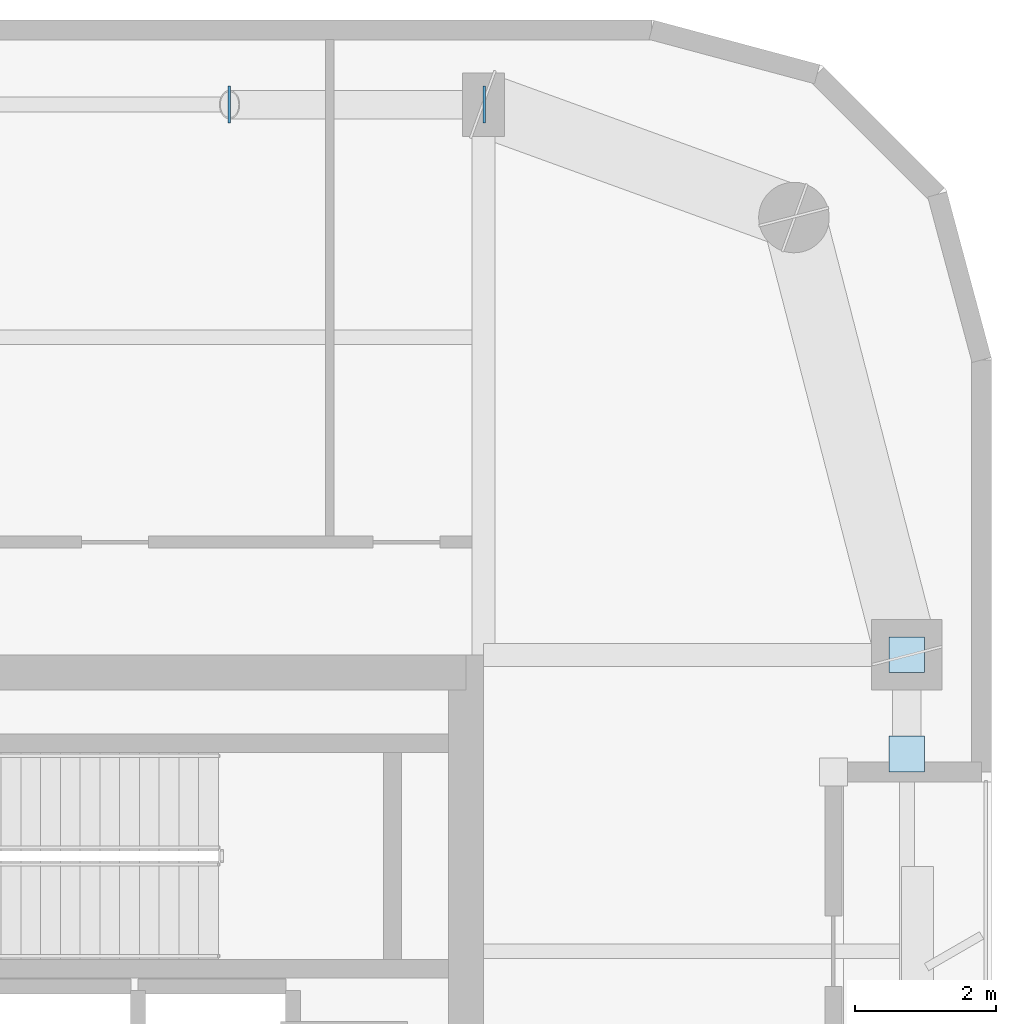
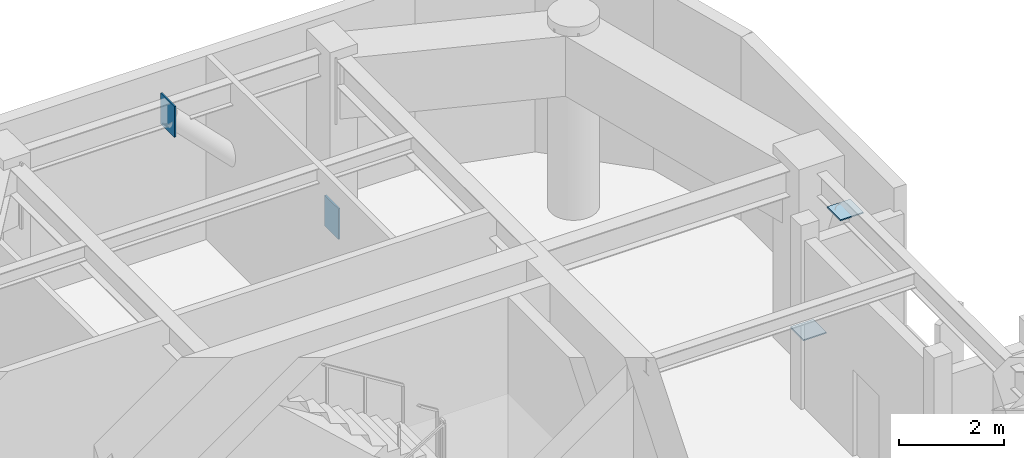
# One storey, part 8 of 14: 4 plates.
"""IFC4 building model written with IfcOpenShell, lengths in metres."""

from ifc_helpers import new_model, si_unit, direction, frame, origin, origin_2d, place, context, subcontext, project, spatial, rectangle, extrude, material, layer, layer_set, type_object, element, save


model = new_model("IFC4")

# Units and contexts
model_context = context("Model", 3, precision=1e-05, world=origin(), true_north=direction((0.0, 1.0)))
body_context = subcontext(model_context, "Body", "Model", "MODEL_VIEW")
ifc_project = project(units=[si_unit("LENGTHUNIT", "METRE"), si_unit("AREAUNIT", "SQUARE_METRE"), si_unit("VOLUMEUNIT", "CUBIC_METRE"), si_unit("PLANEANGLEUNIT", "RADIAN"), si_unit("MASSUNIT", "GRAM", prefix="KILO")], contexts=[model_context])

# Site, building, storey
site_placement = place(None, origin())
site = spatial("IfcSite", under=ifc_project, at=site_placement, CompositionType="ELEMENT")
building_placement = place(site_placement, origin())
building = spatial("IfcBuilding", under=site, at=building_placement, Name="Kiyonajd Concourse Tower", CompositionType="ELEMENT")
storey_placement = place(building_placement, frame((0.0, 0.0, 294.0)))
storey = spatial("IfcBuildingStorey", under=building, at=storey_placement, Name="L74", CompositionType="ELEMENT", Elevation=294.0)

# Plates
ifc_material = material(Name="Steel ASTM A572 Grade 50", Category="steel")
ifc_layer = layer(ifc_material, 0.028076171875)
ifc_layer_set = layer_set([ifc_layer], Name="Steel ASTM A572 Grade 50")
plate_type = type_object("IfcPlateType", Name="PL-CAP-450", PredefinedType="USERDEFINED", material=ifc_layer_set)
for number, where, z_axis, x_axis, name in (
    (1, (63.607666015625, 52.199951171875, -0.06640625), (0.0, 0.0, 1.0), (1.0, 0.0, 0.0), "L74 Hollow Brace End Cap Plate PBN"),
    (2, (59.9921875, 52.199951171875, 3.5791015625), (0.0, 0.0, 1.0), (-1.0, 0.0, 0.0), "L74 Hollow Brace Top Cap Plate PBN"),
):
    element("IfcPlate", number, at=place(storey_placement, frame(where, z_axis=z_axis, x_axis=x_axis)), inside=storey, type_object=plate_type, Name=name, ObjectType="CAP PLATE", PredefinedType="USERDEFINED", context=body_context, shape_type="SweptSolid", body=[
        extrude(rectangle(XDim=0.035888671875, YDim=0.52587890625, at=origin_2d()), origin(), (0.0, 0.0, 1.0), 0.717041015625),
    ])
for number, where, z_axis, x_axis, name in (
    (3, (69.60009765625, 44.404052734375, 0.27587890625), (0.0, 0.0, 1.0), (1.0, 0.0, 0.0), "L74 Hollow Brace End Cap Plate PBE"),
    (4, (69.60009765625, 42.99609375, 3.92626953125), (0.0, 0.0, 1.0), (1.0, 0.0, 0.0), "L74 Hollow Brace Top Cap Plate PBE"),
):
    element("IfcPlate", number, at=place(storey_placement, frame(where, z_axis=z_axis, x_axis=x_axis)), inside=storey, type_object=plate_type, Name=name, ObjectType="CAP PLATE", PredefinedType="USERDEFINED", context=body_context, shape_type="SweptSolid", body=[
        extrude(rectangle(XDim=0.506103515625, YDim=0.506103515625, at=origin_2d()), origin(), (0.0, 0.0, 1.0), 0.028076171875),
    ])

save(model, "model.ifc")
